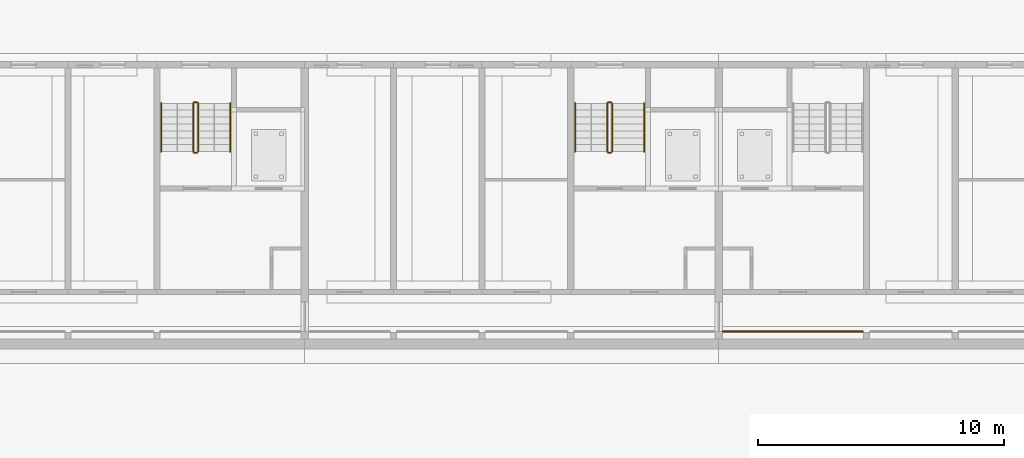
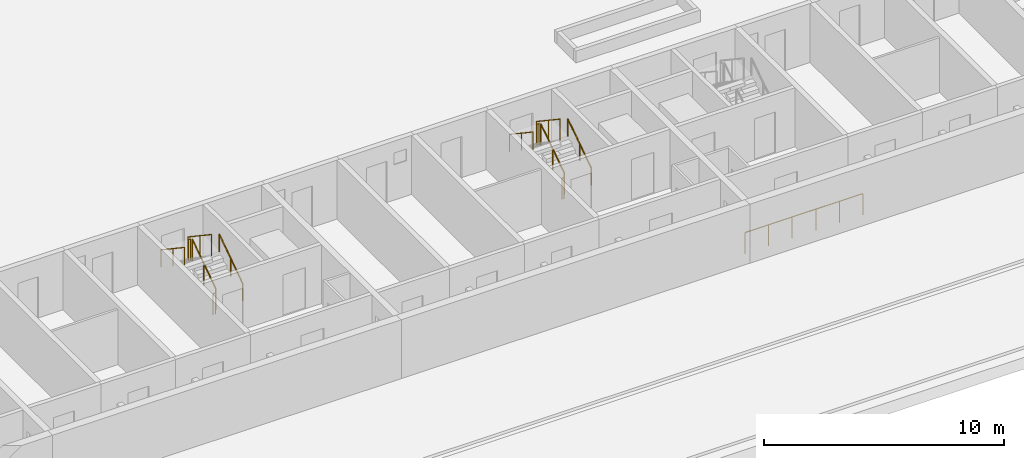
# One storey, part 90 of 112: 13 railings.
"""IFC4 building model written with IfcOpenShell, lengths in metres."""

from ifc_helpers import new_model, si_unit, direction, frame, origin, origin_2d, place, context, subcontext, project, spatial, circle, extrude, material, type_object, element, save


model = new_model("IFC4")

# Units and contexts
model_context = context("Model", 3, precision=1e-05, world=origin(), true_north=direction((0.0, 1.0)))
body_context = subcontext(model_context, "Body", "Model", "MODEL_VIEW")
ifc_project = project(units=[si_unit("LENGTHUNIT", "METRE"), si_unit("AREAUNIT", "SQUARE_METRE"), si_unit("VOLUMEUNIT", "CUBIC_METRE"), si_unit("PLANEANGLEUNIT", "RADIAN"), si_unit("MASSUNIT", "GRAM", prefix="KILO")], contexts=[model_context])

# Site, building, storey
site_placement = place(None, origin())
site = spatial("IfcSite", under=ifc_project, at=site_placement, CompositionType="ELEMENT")
building_placement = place(site_placement, origin())
building = spatial("IfcBuilding", under=site, at=building_placement, Name="Ridgestep Commons", CompositionType="ELEMENT")
storey_placement = place(building_placement, origin())
storey = spatial("IfcBuildingStorey", under=building, at=storey_placement, Name="L00", CompositionType="ELEMENT", Elevation=0.0)

# Railings
ifc_material_1 = material(Name="Structural steel S355JR galvanised", Category="steel")
railing_type_1 = type_object("IfcRailingType", Name="Passage guard 1100", PredefinedType="GUARDRAIL", material=ifc_material_1)
railing_1_placement = place(storey_placement, frame((96.1708984375, 12.050048828125, 0.0)))
element("IfcRailing", 1, at=railing_1_placement, inside=storey, type_object=railing_type_1, Name="Passage guard A 00.21", PredefinedType="GUARDRAIL", context=body_context, shape_type="SweptSolid", body=[
    extrude(circle(Radius=0.02392578125, at=origin_2d()), frame((0.0, 0.0, 1.076171875), z_axis=(1.0, 0.0, 0.0), x_axis=(0.0, 1.0, 0.0)), (0.0, 0.0, 1.0), 5.68310546875),
    extrude(circle(Radius=0.02099609375, at=origin_2d()), origin(), (0.0, 0.0, 1.0), 1.052001953125),
    extrude(circle(Radius=0.02099609375, at=origin_2d()), frame((1.13671875, 0.0, 0.0)), (0.0, 0.0, 1.0), 1.052001953125),
    extrude(circle(Radius=0.02099609375, at=origin_2d()), frame((2.273193359375, 0.0, 0.0)), (0.0, 0.0, 1.0), 1.052001953125),
    extrude(circle(Radius=0.02099609375, at=origin_2d()), frame((3.409912109375, 0.0, 0.0)), (0.0, 0.0, 1.0), 1.052001953125),
    extrude(circle(Radius=0.02099609375, at=origin_2d()), frame((4.54638671875, 0.0, 0.0)), (0.0, 0.0, 1.0), 1.052001953125),
    extrude(circle(Radius=0.02099609375, at=origin_2d()), frame((5.68310546875, 0.0, 0.0)), (0.0, 0.0, 1.0), 1.052001953125),
])
ifc_material_2 = material(Name="Structural steel S355JR", Category="steel")
railing_type_2 = type_object("IfcRailingType", Name="Stair guard 1100", PredefinedType="GUARDRAIL", material=ifc_material_2)
railing_2_placement = place(storey_placement, frame((74.875, 19.35009765625, 0.1875)))
element("IfcRailing", 2, at=railing_2_placement, inside=storey, type_object=railing_type_2, Name="L00 A4C stair guard 1", PredefinedType="GUARDRAIL", context=body_context, shape_type="SweptSolid", body=[
    extrude(circle(Radius=0.02392578125, at=origin_2d()), frame((0.0, 0.0, 1.076171875), z_axis=(0.0, 0.830902050051, 0.556418712142), x_axis=(-1.0, 0.0, 0.0)), (0.0, 0.0, 1.0), 2.35888671875),
    extrude(circle(Radius=0.02099609375, at=origin_2d()), origin(), (0.0, 0.0, 1.0), 1.052001953125),
    extrude(circle(Radius=0.02099609375, at=origin_2d()), frame((0.0, 0.97998046875, 0.65625)), (0.0, 0.0, 1.0), 1.052001953125),
    extrude(circle(Radius=0.02099609375, at=origin_2d()), frame((0.0, 1.9599609375, 1.3125)), (0.0, 0.0, 1.0), 1.052001953125),
])
railing_3_placement = place(storey_placement, frame((74.824951171875, 21.360107421875, 1.5)))
element("IfcRailing", 3, at=railing_3_placement, inside=storey, type_object=railing_type_2, Name="L00 A4C stair guard 2", PredefinedType="GUARDRAIL", context=body_context, shape_type="SweptSolid", body=[
    extrude(circle(Radius=0.02392578125, at=origin_2d()), frame((0.0, 0.0, 1.076171875), z_axis=(-1.0, 0.0, 0.0), x_axis=(0.0, -1.0, 0.0)), (0.0, 0.0, 1.0), 0.099853515625),
    extrude(circle(Radius=0.02099609375, at=origin_2d()), origin(), (0.0, 0.0, 1.0), 1.052001953125),
    extrude(circle(Radius=0.02099609375, at=origin_2d()), frame((-0.099853515625, 0.0, 0.0)), (0.0, 0.0, 1.0), 1.052001953125),
])
railing_4_placement = place(storey_placement, frame((74.675048828125, 21.31005859375, 1.6875)))
element("IfcRailing", 4, at=railing_4_placement, inside=storey, type_object=railing_type_2, Name="L00 A4C stair guard 3", PredefinedType="GUARDRAIL", context=body_context, shape_type="SweptSolid", body=[
    extrude(circle(Radius=0.02392578125, at=origin_2d()), frame((0.0, 0.0, 1.076171875), z_axis=(0.0, -0.830902050051, 0.556418712142), x_axis=(1.0, 0.0, 0.0)), (0.0, 0.0, 1.0), 2.35888671875),
    extrude(circle(Radius=0.02099609375, at=origin_2d()), origin(), (0.0, 0.0, 1.0), 1.052001953125),
    extrude(circle(Radius=0.02099609375, at=origin_2d()), frame((0.0, -0.97998046875, 0.65625)), (0.0, 0.0, 1.0), 1.052001953125),
    extrude(circle(Radius=0.02099609375, at=origin_2d()), frame((0.0, -1.9599609375, 1.3125)), (0.0, 0.0, 1.0), 1.052001953125),
])
railing_5_placement = place(storey_placement, frame((74.824951171875, 19.300048828125, 0.0)))
element("IfcRailing", 5, at=railing_5_placement, inside=storey, type_object=railing_type_2, Name="L00 A4C stair guard 4", PredefinedType="GUARDRAIL", context=body_context, shape_type="SweptSolid", body=[
    extrude(circle(Radius=0.02392578125, at=origin_2d()), frame((0.0, 0.0, 1.076171875), z_axis=(-1.0, 0.0, 0.0), x_axis=(0.0, -1.0, 0.0)), (0.0, 0.0, 1.0), 0.099853515625),
    extrude(circle(Radius=0.02099609375, at=origin_2d()), origin(), (0.0, 0.0, 1.0), 1.052001953125),
    extrude(circle(Radius=0.02099609375, at=origin_2d()), frame((-0.099853515625, 0.0, 0.0)), (0.0, 0.0, 1.0), 1.052001953125),
])
railing_6_placement = place(storey_placement, frame((91.675048828125, 19.35009765625, 0.1875)))
element("IfcRailing", 6, at=railing_6_placement, inside=storey, type_object=railing_type_2, Name="L00 A5C stair guard 1", PredefinedType="GUARDRAIL", context=body_context, shape_type="SweptSolid", body=[
    extrude(circle(Radius=0.02392578125, at=origin_2d()), frame((0.0, 0.0, 1.076171875), z_axis=(0.0, 0.830902050051, 0.556418712142), x_axis=(-1.0, 0.0, 0.0)), (0.0, 0.0, 1.0), 2.35888671875),
    extrude(circle(Radius=0.02099609375, at=origin_2d()), origin(), (0.0, 0.0, 1.0), 1.052001953125),
    extrude(circle(Radius=0.02099609375, at=origin_2d()), frame((0.0, 0.97998046875, 0.65625)), (0.0, 0.0, 1.0), 1.052001953125),
    extrude(circle(Radius=0.02099609375, at=origin_2d()), frame((0.0, 1.9599609375, 1.3125)), (0.0, 0.0, 1.0), 1.052001953125),
])
railing_7_placement = place(storey_placement, frame((91.625, 21.360107421875, 1.5)))
element("IfcRailing", 7, at=railing_7_placement, inside=storey, type_object=railing_type_2, Name="L00 A5C stair guard 2", PredefinedType="GUARDRAIL", context=body_context, shape_type="SweptSolid", body=[
    extrude(circle(Radius=0.02392578125, at=origin_2d()), frame((0.0, 0.0, 1.076171875), z_axis=(-1.0, 0.0, 0.0), x_axis=(0.0, -1.0, 0.0)), (0.0, 0.0, 1.0), 0.10009765625),
    extrude(circle(Radius=0.02099609375, at=origin_2d()), origin(), (0.0, 0.0, 1.0), 1.052001953125),
    extrude(circle(Radius=0.02099609375, at=origin_2d()), frame((-0.10009765625, 0.0, 0.0)), (0.0, 0.0, 1.0), 1.052001953125),
])
railing_8_placement = place(storey_placement, frame((91.47509765625, 21.31005859375, 1.6875)))
element("IfcRailing", 8, at=railing_8_placement, inside=storey, type_object=railing_type_2, Name="L00 A5C stair guard 3", PredefinedType="GUARDRAIL", context=body_context, shape_type="SweptSolid", body=[
    extrude(circle(Radius=0.02392578125, at=origin_2d()), frame((0.0, 0.0, 1.076171875), z_axis=(0.0, -0.830902050051, 0.556418712142), x_axis=(1.0, 0.0, 0.0)), (0.0, 0.0, 1.0), 2.35888671875),
    extrude(circle(Radius=0.02099609375, at=origin_2d()), origin(), (0.0, 0.0, 1.0), 1.052001953125),
    extrude(circle(Radius=0.02099609375, at=origin_2d()), frame((0.0, -0.97998046875, 0.65625)), (0.0, 0.0, 1.0), 1.052001953125),
    extrude(circle(Radius=0.02099609375, at=origin_2d()), frame((0.0, -1.9599609375, 1.3125)), (0.0, 0.0, 1.0), 1.052001953125),
])
railing_9_placement = place(storey_placement, frame((91.625, 19.300048828125, 0.0)))
element("IfcRailing", 9, at=railing_9_placement, inside=storey, type_object=railing_type_2, Name="L00 A5C stair guard 4", PredefinedType="GUARDRAIL", context=body_context, shape_type="SweptSolid", body=[
    extrude(circle(Radius=0.02392578125, at=origin_2d()), frame((0.0, 0.0, 1.076171875), z_axis=(-1.0, 0.0, 0.0), x_axis=(0.0, -1.0, 0.0)), (0.0, 0.0, 1.0), 0.10009765625),
    extrude(circle(Radius=0.02099609375, at=origin_2d()), origin(), (0.0, 0.0, 1.0), 1.052001953125),
    extrude(circle(Radius=0.02099609375, at=origin_2d()), frame((-0.10009765625, 0.0, 0.0)), (0.0, 0.0, 1.0), 1.052001953125),
])
ifc_material_3 = material(Name="Structural steel S355JR", Category="steel")
railing_type_3 = type_object("IfcRailingType", Name="Stair handrail 900", PredefinedType="HANDRAIL", material=ifc_material_3)
railing_10_placement = place(storey_placement, frame((76.175048828125, 19.35009765625, 0.1875)))
element("IfcRailing", 10, at=railing_10_placement, inside=storey, type_object=railing_type_3, Name="L00 A4C stair handrail 1", PredefinedType="HANDRAIL", context=body_context, shape_type="SweptSolid", body=[
    extrude(circle(Radius=0.02392578125, at=origin_2d()), frame((0.0, 0.0, 0.8759765625), z_axis=(0.0, 0.830902050051, 0.556418712142), x_axis=(-1.0, 0.0, 0.0)), (0.0, 0.0, 1.0), 2.35888671875),
    extrude(circle(Radius=0.02099609375, at=origin_2d()), origin(), (0.0, 0.0, 1.0), 0.851806640625),
    extrude(circle(Radius=0.02099609375, at=origin_2d()), frame((0.0, 0.97998046875, 0.65625)), (0.0, 0.0, 1.0), 0.851806640625),
    extrude(circle(Radius=0.02099609375, at=origin_2d()), frame((0.0, 1.9599609375, 1.3125)), (0.0, 0.0, 1.0), 0.851806640625),
])
railing_11_placement = place(storey_placement, frame((73.375, 21.31005859375, 1.6875)))
element("IfcRailing", 11, at=railing_11_placement, inside=storey, type_object=railing_type_3, Name="L00 A4C stair handrail 2", PredefinedType="HANDRAIL", context=body_context, shape_type="SweptSolid", body=[
    extrude(circle(Radius=0.02392578125, at=origin_2d()), frame((0.0, 0.0, 0.8759765625), z_axis=(0.0, -0.830902050051, 0.556418712142), x_axis=(1.0, 0.0, 0.0)), (0.0, 0.0, 1.0), 2.35888671875),
    extrude(circle(Radius=0.02099609375, at=origin_2d()), origin(), (0.0, 0.0, 1.0), 0.851806640625),
    extrude(circle(Radius=0.02099609375, at=origin_2d()), frame((0.0, -0.97998046875, 0.65625)), (0.0, 0.0, 1.0), 0.851806640625),
    extrude(circle(Radius=0.02099609375, at=origin_2d()), frame((0.0, -1.9599609375, 1.3125)), (0.0, 0.0, 1.0), 0.851806640625),
])
railing_12_placement = place(storey_placement, frame((92.97509765625, 19.35009765625, 0.1875)))
element("IfcRailing", 12, at=railing_12_placement, inside=storey, type_object=railing_type_3, Name="L00 A5C stair handrail 1", PredefinedType="HANDRAIL", context=body_context, shape_type="SweptSolid", body=[
    extrude(circle(Radius=0.02392578125, at=origin_2d()), frame((0.0, 0.0, 0.8759765625), z_axis=(0.0, 0.830902050051, 0.556418712142), x_axis=(-1.0, 0.0, 0.0)), (0.0, 0.0, 1.0), 2.35888671875),
    extrude(circle(Radius=0.02099609375, at=origin_2d()), origin(), (0.0, 0.0, 1.0), 0.851806640625),
    extrude(circle(Radius=0.02099609375, at=origin_2d()), frame((0.0, 0.97998046875, 0.65625)), (0.0, 0.0, 1.0), 0.851806640625),
    extrude(circle(Radius=0.02099609375, at=origin_2d()), frame((0.0, 1.9599609375, 1.3125)), (0.0, 0.0, 1.0), 0.851806640625),
])
railing_13_placement = place(storey_placement, frame((90.175048828125, 21.31005859375, 1.6875)))
element("IfcRailing", 13, at=railing_13_placement, inside=storey, type_object=railing_type_3, Name="L00 A5C stair handrail 2", PredefinedType="HANDRAIL", context=body_context, shape_type="SweptSolid", body=[
    extrude(circle(Radius=0.02392578125, at=origin_2d()), frame((0.0, 0.0, 0.8759765625), z_axis=(0.0, -0.830902050051, 0.556418712142), x_axis=(1.0, 0.0, 0.0)), (0.0, 0.0, 1.0), 2.35888671875),
    extrude(circle(Radius=0.02099609375, at=origin_2d()), origin(), (0.0, 0.0, 1.0), 0.851806640625),
    extrude(circle(Radius=0.02099609375, at=origin_2d()), frame((0.0, -0.97998046875, 0.65625)), (0.0, 0.0, 1.0), 0.851806640625),
    extrude(circle(Radius=0.02099609375, at=origin_2d()), frame((0.0, -1.9599609375, 1.3125)), (0.0, 0.0, 1.0), 0.851806640625),
])

save(model, "model.ifc")
